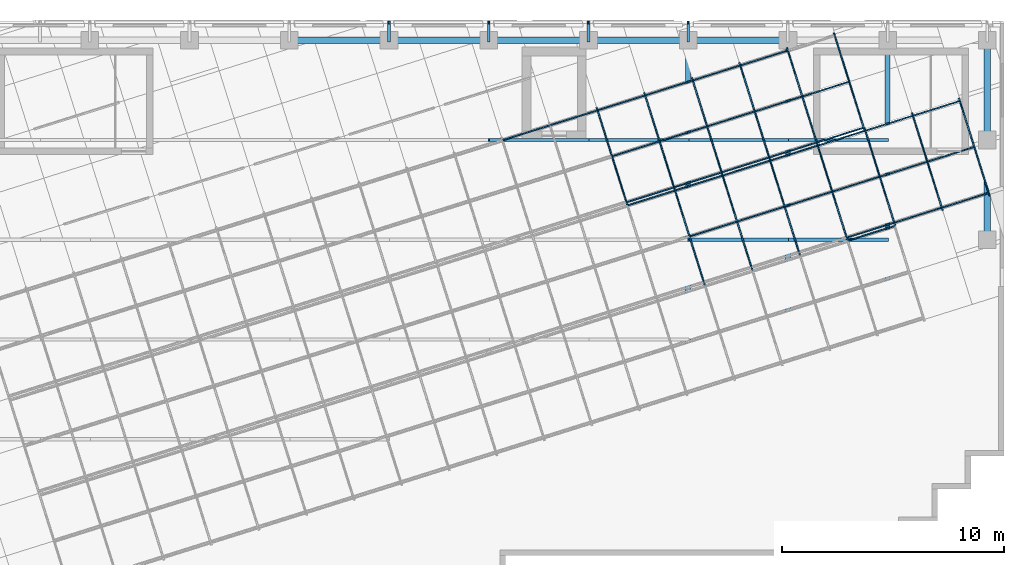
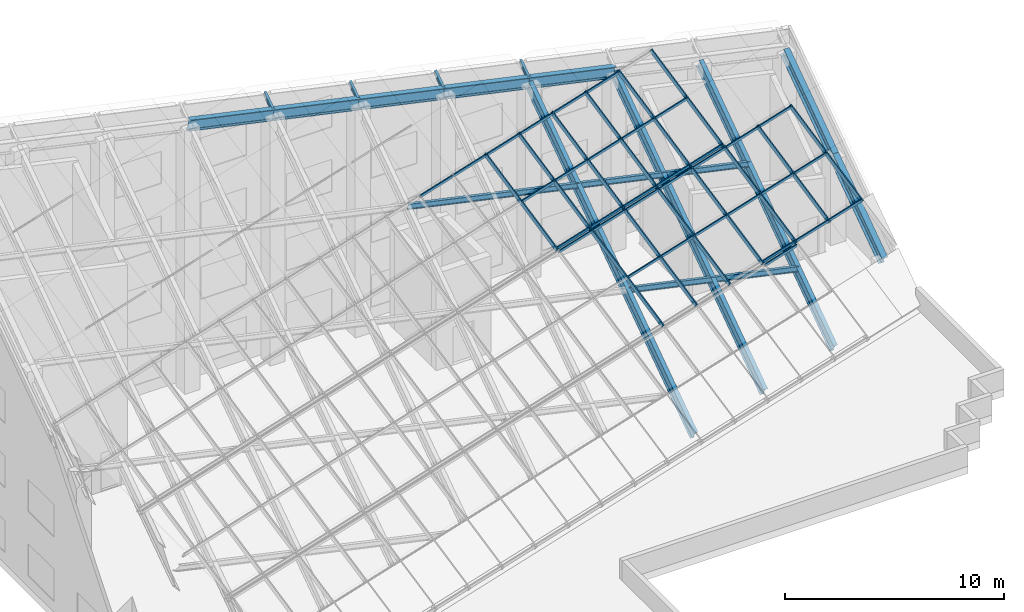
# One storey, part 5 of 14: 66 members, 3 elements without a shape of their own.
"""IFC4 building model written with IfcOpenShell, lengths in metres."""

import ifcopenshell
import ifcopenshell.guid

model = None  # the IFC model being written
_history = None  # IfcOwnerHistory: only IFC2X3 demands one
_inside = {}  # id of a spatial element -> (the spatial element, [elements in it])
_under = {}  # id of a project, library or spatial element -> (it, [spatial elements below it])
_declared = {}  # id of a project -> (the project, [libraries it declares])
_typed = {}  # id of a type object -> (the type object, [elements of that type])
_made_of = {}  # id of a material, layer set ... -> (it, [elements and type objects made of it])


def new_model(schema):
    """Start an empty IFC model of exactly this schema.

    Asked for "IFC4X3", IfcOpenShell would pick the latest addendum, in which some entities
    have other attributes; the version numbers below select the first issue.
    IFC2X3 requires an IfcOwnerHistory on every rooted entity: one is made here for all.
    """
    global model, _history
    if schema == "IFC4X3":
        model = ifcopenshell.file(schema_version=(4, 3, 0, 0))
    else:
        model = ifcopenshell.file(schema=schema)
    _inside.clear()
    _under.clear()
    _declared.clear()
    _typed.clear()
    _made_of.clear()
    _history = None
    if model.schema == "IFC2X3":
        org = make("IfcOrganization", Name="unknown")
        user = make(
            "IfcPersonAndOrganization",
            ThePerson=make("IfcPerson", FamilyName="unknown"),
            TheOrganization=org,
        )
        app = make(
            "IfcApplication",
            ApplicationDeveloper=org,
            Version="unknown",
            ApplicationFullName="unknown",
            ApplicationIdentifier="unknown",
        )
        _history = make(
            "IfcOwnerHistory",
            OwningUser=user,
            OwningApplication=app,
            ChangeAction="ADDED",
            CreationDate=0,
        )
    return model


def make(cls, **values):
    """One entity of the class cls with the attributes given. An attribute that is None is left unset."""
    return model.create_entity(
        cls, **{name: value for name, value in values.items() if value is not None}
    )


def rooted(cls, **values):
    """An entity with a GlobalId (a new one), such as an element, a storey or a relation."""
    return make(cls, GlobalId=ifcopenshell.guid.new(), OwnerHistory=_history, **values)


def si_unit(unit_type, name, prefix=None):
    """IfcSIUnit, for example si_unit("LENGTHUNIT", "METRE", prefix="MILLI")."""
    return make("IfcSIUnit", UnitType=unit_type, Prefix=prefix, Name=name)


def assignment(units):
    """IfcUnitAssignment: the units of a project."""
    return None if units is None else make("IfcUnitAssignment", Units=units)


def point(xyz):
    """IfcCartesianPoint."""
    return None if xyz is None else make("IfcCartesianPoint", Coordinates=xyz)


def direction(xyz):
    """IfcDirection."""
    return None if xyz is None else make("IfcDirection", DirectionRatios=xyz)


def frame(location, z_axis=None, x_axis=None):
    """IfcAxis2Placement3D, a coordinate frame: its origin and axes. An axis left out is left unset."""
    return make(
        "IfcAxis2Placement3D",
        Location=point(location),
        Axis=direction(z_axis),
        RefDirection=direction(x_axis),
    )


def frame_2d(location, x_axis=None):
    """IfcAxis2Placement2D, a coordinate frame in the plane: its origin and x axis."""
    return make(
        "IfcAxis2Placement2D", Location=point(location), RefDirection=direction(x_axis)
    )


def origin():
    """The frame at (0, 0, 0) with its axes left unset."""
    return frame((0.0, 0.0, 0.0))


def origin_2d():
    """The frame at (0, 0) in the plane with its x axis left unset."""
    return frame_2d((0.0, 0.0))


def place(relative_to, where):
    """IfcLocalPlacement: puts the frame where relative to a parent placement (None: the world)."""
    return make(
        "IfcLocalPlacement", PlacementRelTo=relative_to, RelativePlacement=where
    )


def context(
    kind, dimensions, precision=None, world=None, true_north=None, identifier=None
):
    """IfcGeometricRepresentationContext, for example the 3D "Model" context."""
    return make(
        "IfcGeometricRepresentationContext",
        ContextIdentifier=identifier,
        ContextType=kind,
        CoordinateSpaceDimension=dimensions,
        Precision=precision,
        WorldCoordinateSystem=world,
        TrueNorth=true_north,
    )


def subcontext(parent, identifier, kind, view, scale=None):
    """IfcGeometricRepresentationSubContext, for example "Body" below "Model"."""
    return make(
        "IfcGeometricRepresentationSubContext",
        ContextIdentifier=identifier,
        ContextType=kind,
        ParentContext=parent,
        TargetScale=scale,
        TargetView=view,
    )


def project(units=None, contexts=None):
    """IfcProject with its units and contexts."""
    return rooted(
        "IfcProject",
        Name="project",
        RepresentationContexts=contexts,
        UnitsInContext=assignment(units),
    )


def spatial(cls, under=None, at=None, **own):
    """A site, building, storey or space (cls), placed at a placement, below another one or the project."""
    s = rooted(cls, ObjectPlacement=at, **own)
    if under is not None:
        _under.setdefault(under.id(), (under, []))[1].append(s)
    return s


def profile(cls, at=None, kind="AREA", **sizes):
    """A parametric profile (cls). Its sizes go by their IFC names, for example OverallWidth=200.0."""
    return make(cls, ProfileType=kind, Position=at, **sizes)


def rectangle(**sizes):
    """IfcRectangleProfileDef."""
    return profile("IfcRectangleProfileDef", **sizes)


def i_section(**sizes):
    """IfcIShapeProfileDef."""
    return profile("IfcIShapeProfileDef", **sizes)


def extrude(swept, where, along, depth):
    """IfcExtrudedAreaSolid: the profile swept, set in the frame where, extruded along a direction by depth."""
    return make(
        "IfcExtrudedAreaSolid",
        SweptArea=swept,
        Position=where,
        ExtrudedDirection=direction(along),
        Depth=depth,
    )


def shape(context_of_items, identifier, shape_type, items):
    """IfcShapeRepresentation: the items that make up one representation, for example the "Body"."""
    return make(
        "IfcShapeRepresentation",
        ContextOfItems=context_of_items,
        RepresentationIdentifier=identifier,
        RepresentationType=shape_type,
        Items=items,
    )


def material(Name=None, Category=None):
    """IfcMaterial."""
    return make("IfcMaterial", Name=Name, Category=Category)


def material_profile(
    of_material, cross_section, Name=None, Category=None, Priority=None
):
    """IfcMaterialProfile: a cross section and its material."""
    return make(
        "IfcMaterialProfile",
        Name=Name,
        Material=of_material,
        Profile=cross_section,
        Priority=Priority,
        Category=Category,
    )


def profile_set(profiles, Name=None, composite=None):
    """IfcMaterialProfileSet."""
    return make(
        "IfcMaterialProfileSet",
        Name=Name,
        MaterialProfiles=profiles,
        CompositeProfile=composite,
    )


def made_of(thing, what):
    """Note that an element or type object is made of a material, layer set ...; save() writes the relation."""
    if what is not None:
        _made_of.setdefault(what.id(), (what, []))[1].append(thing)
    return thing


def type_object(cls, material=None, **own):
    """A type object (cls), such as IfcWallType, which elements share."""
    return made_of(rooted(cls, **own), material)


def element(
    cls,
    number,
    at=None,
    inside=None,
    cuts=None,
    type_object=None,
    material=None,
    context=None,
    identifier="Body",
    shape_type=None,
    held_by="IfcProductDefinitionShape",
    body=None,
    shapes=None,
    **own,
):
    """One element of the class cls, such as IfcWall. Its Tag is "e" and its number.

    at: its placement. inside: the storey or other place that contains it. cuts: it is an
    opening in that element (IfcRelVoidsElement). A single representation is given by context,
    identifier, shape_type and body (its items); several are given by shapes. held_by: the class
    of the entity that holds the representations. save() writes the other relations.
    """
    e = rooted(cls, Tag="e%d" % number, ObjectPlacement=at, **own)
    if body is not None:
        shapes = [shape(context, identifier, shape_type, body)]
    if shapes is not None:
        e.Representation = make(held_by, Representations=shapes)
    if inside is not None:
        _inside.setdefault(inside.id(), (inside, []))[1].append(e)
    if cuts is not None:
        rooted(
            "IfcRelVoidsElement", RelatingBuildingElement=cuts, RelatedOpeningElement=e
        )
    if type_object is not None:
        _typed.setdefault(type_object.id(), (type_object, []))[1].append(e)
    return made_of(e, material)


def aggregate(whole, parts):
    """IfcRelAggregates: a whole, such as a stair, and the parts it consists of."""
    return rooted("IfcRelAggregates", RelatingObject=whole, RelatedObjects=parts)


def save(model, path):
    """Write the relations noted so far, then the file.

    IfcRelAggregates (storeys below a building ...), IfcRelContainedInSpatialStructure (elements
    in a storey), IfcRelDefinesByType, IfcRelAssociatesMaterial and IfcRelDeclares: one each for
    every whole, place, type object, material and project.
    """
    for whole, parts in _under.values():
        aggregate(whole, parts)
    for where, things in _inside.values():
        rooted(
            "IfcRelContainedInSpatialStructure",
            RelatedElements=things,
            RelatingStructure=where,
        )
    for kind, things in _typed.values():
        rooted("IfcRelDefinesByType", RelatedObjects=things, RelatingType=kind)
    for what, things in _made_of.values():
        rooted("IfcRelAssociatesMaterial", RelatedObjects=things, RelatingMaterial=what)
    for by, libraries in _declared.values():
        rooted("IfcRelDeclares", RelatingContext=by, RelatedDefinitions=libraries)
    model.write(path)


model = new_model("IFC4")

# Units and contexts
model_context = context("Model", 3, precision=1e-05, world=origin(), true_north=direction((0.0, 1.0)))
body_context = subcontext(model_context, "Body", "Model", "MODEL_VIEW")
ifc_project = project(units=[si_unit("LENGTHUNIT", "METRE"), si_unit("AREAUNIT", "SQUARE_METRE"), si_unit("VOLUMEUNIT", "CUBIC_METRE"), si_unit("PLANEANGLEUNIT", "RADIAN"), si_unit("MASSUNIT", "GRAM", prefix="KILO")], contexts=[model_context])

# Site, building, storey
site_placement = place(None, origin())
site = spatial("IfcSite", under=ifc_project, at=site_placement, CompositionType="ELEMENT")
building_placement = place(site_placement, origin())
building = spatial("IfcBuilding", under=site, at=building_placement, Name="Firuza Court", CompositionType="ELEMENT")
storey_placement = place(building_placement, frame((0.0, 0.0, 266.199951171875)))
storey = spatial("IfcBuildingStorey", under=building, at=storey_placement, Name="L68 Crown", CompositionType="ELEMENT", Elevation=266.199951171875)

# Members
ifc_material_1 = material(Name="Steel S355", Category="steel")
ifc_material_profile_1 = material_profile(ifc_material_1, i_section(OverallWidth=0.1201171875, OverallDepth=0.239990234375, WebThickness=0.006103515625, FlangeThickness=0.009765625, FilletRadius=0.014892578125, at=origin_2d()), Name="IPE 240")
ifc_profile_set_1 = profile_set([ifc_material_profile_1], Name="Steel S355")
member_type_1 = type_object("IfcMemberType", Name="Crown eave bracket IPE 240 S355", PredefinedType="MEMBER", material=ifc_profile_set_1)
for number, where, z_axis, x_axis, name in (
    (1, (18.0, 58.5, 13.876953125), (0.0, 0.82192121819, 0.569601185996), (-1.0, 0.0, 0.0), "Crown frame eave bracket"),
    (2, (22.5, 58.5, 12.89599609375), (0.0, 0.82192121819, 0.569601185996), (-1.0, 0.0, 0.0), "Crown frame eave bracket"),
    (3, (27.0, 58.5, 11.915283203125), (0.0, 0.82192121819, 0.569601185996), (-1.0, 0.0, 0.0), "Crown frame eave bracket"),
    (4, (31.5, 58.5, 10.9345703125), (0.0, 0.82192121819, 0.569601185996), (-1.0, 0.0, 0.0), "Crown frame eave bracket"),
):
    element("IfcMember", number, at=place(storey_placement, frame(where, z_axis=z_axis, x_axis=x_axis)), inside=storey, type_object=member_type_1, Name=name, PredefinedType="MEMBER", context=body_context, shape_type="SweptSolid", body=[
        extrude(i_section(OverallWidth=0.1201171875, OverallDepth=0.239990234375, WebThickness=0.006103515625, FlangeThickness=0.009765625, FilletRadius=0.014892578125, at=origin_2d()), origin(), (0.0, 0.0, 1.0), 0.973388671875),
    ])
ifc_material_2 = material(Name="Steel S355", Category="steel")
ifc_material_profile_2 = material_profile(ifc_material_2, i_section(OverallWidth=0.14990234375, OverallDepth=0.300048828125, WebThickness=0.007080078125, FlangeThickness=0.0107421875, FilletRadius=0.014892578125, at=origin_2d()), Name="IPE 300")
ifc_profile_set_2 = profile_set([ifc_material_profile_2], Name="Steel S355")
member_type_2 = type_object("IfcMemberType", Name="Crown purlin IPE 300 S355", PredefinedType="PURLIN", material=ifc_profile_set_2)
for number, where, z_axis, x_axis, name in (
    (5, (31.5, 49.5, 4.6171875), (0.977065716097, 0.0, -0.212937987281), (0.0, 1.0, 0.0), "Crown frame purlin"),
    (6, (36.0, 49.5, 3.636474609375), (0.977065716097, 0.0, -0.212937987281), (0.0, 1.0, 0.0), "Crown frame purlin"),
    (7, (22.5, 54.0, 9.69775390625), (0.977065716097, 0.0, -0.212937987281), (0.0, 1.0, 0.0), "Crown frame purlin"),
    (8, (27.0, 54.0, 8.717041015625), (0.977054686112, 0.0, -0.212988592057), (0.0, 1.0, 0.0), "Crown frame purlin"),
    (9, (31.5, 54.0, 7.736083984375), (0.977065716097, 0.0, -0.212937987281), (0.0, 1.0, 0.0), "Crown frame purlin"),
    (10, (36.0, 54.0, 6.75537109375), (0.977065716097, 0.0, -0.212937987281), (0.0, 1.0, 0.0), "Crown frame purlin"),
):
    element("IfcMember", number, at=place(storey_placement, frame(where, z_axis=z_axis, x_axis=x_axis)), inside=storey, type_object=member_type_2, Name=name, PredefinedType="PURLIN", context=body_context, shape_type="SweptSolid", body=[
        extrude(i_section(OverallWidth=0.14990234375, OverallDepth=0.300048828125, WebThickness=0.007080078125, FlangeThickness=0.0107421875, FilletRadius=0.014892578125, at=origin_2d()), origin(), (0.0, 0.0, 1.0), 4.605712890625),
    ])
ifc_material_3 = material(Name="Steel S355", Category="steel")
ifc_material_profile_3 = material_profile(ifc_material_3, i_section(OverallWidth=0.219970703125, OverallDepth=0.60009765625, WebThickness=0.011962890625, FlangeThickness=0.01904296875, FilletRadius=0.02392578125, at=origin_2d()), Name="IPE 600")
ifc_profile_set_3 = profile_set([ifc_material_profile_3], Name="Steel S355")
member_type_3 = type_object("IfcMemberType", Name="Crown rafter IPE 600 S355", PredefinedType="RAFTER", material=ifc_profile_set_3)
member_1_placement = place(storey_placement, frame((31.5, 43.39501953125, 0.20263671875), z_axis=(0.0, 0.821894140728, 0.569640256159), x_axis=(-1.0, 0.0, 0.0)))
element("IfcMember", 11, at=member_1_placement, inside=storey, type_object=member_type_3, Name="Crown frame rafter", PredefinedType="RAFTER", context=body_context, shape_type="SweptSolid", body=[
    extrude(i_section(OverallWidth=0.219970703125, OverallDepth=0.60009765625, WebThickness=0.011962890625, FlangeThickness=0.01904296875, FilletRadius=0.02392578125, at=origin_2d()), origin(), (0.0, 0.0, 1.0), 18.378173828125),
])
member_2_placement = place(storey_placement, frame((36.0, 44.810302734375, 0.20263671875), z_axis=(0.0, 0.821895527525, 0.569638255242), x_axis=(-1.0, 0.0, 0.0)))
element("IfcMember", 12, at=member_2_placement, inside=storey, type_object=member_type_3, Name="Crown frame rafter", PredefinedType="RAFTER", context=body_context, shape_type="SweptSolid", body=[
    extrude(i_section(OverallWidth=0.219970703125, OverallDepth=0.60009765625, WebThickness=0.011962890625, FlangeThickness=0.01904296875, FilletRadius=0.02392578125, at=origin_2d()), origin(), (0.0, 0.0, 1.0), 16.65625),
])
member_3_placement = place(storey_placement, frame((40.5, 46.225341796875, 0.20263671875), z_axis=(0.0, 0.821894885054, 0.569639182222), x_axis=(-1.0, 0.0, 0.0)))
element("IfcMember", 13, at=member_3_placement, inside=storey, type_object=member_type_3, Name="Crown frame rafter", PredefinedType="RAFTER", context=body_context, shape_type="SweptSolid", body=[
    extrude(i_section(OverallWidth=0.219970703125, OverallDepth=0.60009765625, WebThickness=0.011962890625, FlangeThickness=0.01904296875, FilletRadius=0.02392578125, at=origin_2d()), origin(), (0.0, 0.0, 1.0), 14.9345703125),
])
ifc_material_4 = material(Name="Steel S355", Category="steel")
ifc_material_profile_4 = material_profile(ifc_material_4, i_section(OverallWidth=0.300048828125, OverallDepth=0.60009765625, WebThickness=0.015380859375, FlangeThickness=0.030029296875, FilletRadius=0.027099609375, at=origin_2d()), Name="HE 600 B")
ifc_profile_set_4 = profile_set([ifc_material_profile_4], Name="Steel S355")
member_type_4 = type_object("IfcMemberType", Name="Crown ring beam HE 600 B S355", PredefinedType="MEMBER", material=ifc_profile_set_4)
for number, where, z_axis, x_axis, name in (
    (14, (45.0, 49.5, 1.535400390625), (0.0, 0.821891894139, 0.569643497592), (-1.0, 0.0, 0.0), "Crown frame ring beam"),
    (15, (45.0, 54.0, 4.654296875), (0.0, 0.821891894139, 0.569643497592), (-1.0, 0.0, 0.0), "Crown frame ring beam"),
):
    element("IfcMember", number, at=place(storey_placement, frame(where, z_axis=z_axis, x_axis=x_axis)), inside=storey, type_object=member_type_4, Name=name, PredefinedType="MEMBER", context=body_context, shape_type="SweptSolid", body=[
        extrude(i_section(OverallWidth=0.300048828125, OverallDepth=0.60009765625, WebThickness=0.015380859375, FlangeThickness=0.030029296875, FilletRadius=0.027099609375, at=origin_2d()), origin(), (0.0, 0.0, 1.0), 5.47509765625),
    ])
for number, where, z_axis, x_axis, name in (
    (16, (36.0, 58.5, 9.792724609375), (-0.977065716097, 0.0, 0.212937987281), (0.0, -1.0, 0.0), "Crown frame ring beam"),
    (17, (31.5, 58.5, 10.7734375), (-0.977065716097, 0.0, 0.212937987281), (0.0, -1.0, 0.0), "Crown frame ring beam"),
    (18, (27.0, 58.5, 11.754150390625), (-0.977054686112, 0.0, 0.212988592057), (0.0, -1.0, 0.0), "Crown frame ring beam"),
    (19, (22.5, 58.5, 12.735107421875), (-0.977065716097, 0.0, 0.212937987281), (0.0, -1.0, 0.0), "Crown frame ring beam"),
    (20, (18.0, 58.5, 13.7158203125), (-0.977065716097, 0.0, 0.212937987281), (0.0, -1.0, 0.0), "Crown frame ring beam"),
):
    element("IfcMember", number, at=place(storey_placement, frame(where, z_axis=z_axis, x_axis=x_axis)), inside=storey, type_object=member_type_4, Name=name, PredefinedType="MEMBER", context=body_context, shape_type="SweptSolid", body=[
        extrude(i_section(OverallWidth=0.300048828125, OverallDepth=0.60009765625, WebThickness=0.015380859375, FlangeThickness=0.030029296875, FilletRadius=0.027099609375, at=origin_2d()), origin(), (0.0, 0.0, 1.0), 4.605712890625),
    ])

# Curtain wall, members
ifc_material_5 = material(Name="Aluminium curtain wall, triple clear glazing", Category="aluminium")
curtain_wall_type = type_object("IfcCurtainWallType", Name="Crown sloped structural glazing CW5", PredefinedType="NOTDEFINED", material=ifc_material_5)
curtain_wall_1_placement = place(storey_placement, origin())
curtain_wall_1 = element("IfcCurtainWall", 21, at=curtain_wall_1_placement, inside=storey, type_object=curtain_wall_type, Name="Crown sloped structural glazing CW5 2.1", PredefinedType="NOTDEFINED")
ifc_material_6 = material(Name="Aluminium EN AW-6060 T66", Category="aluminium")
ifc_material_profile_5 = material_profile(ifc_material_6, rectangle(XDim=0.06005859375, YDim=0.219970703125, at=origin_2d()), Name="Mullion 220 x 60 CW5")
ifc_profile_set_5 = profile_set([ifc_material_profile_5], Name="Aluminium EN AW-6060 T66")
member_type_5 = type_object("IfcMemberType", Name="Mullion 220 x 60 CW5", PredefinedType="MULLION", material=ifc_profile_set_5)
member_4_placement = place(storey_placement, frame((45.083984375, 51.543701171875, 3.533447265625), z_axis=(-0.242669849677, 0.771768246829, 0.587779820378), x_axis=(-0.95395336245, -0.299954967071, 0.0)))
member_4 = element("IfcMember", 22, at=member_4_placement, type_object=member_type_5, Name="CW5 mullion 1", PredefinedType="MULLION", context=body_context, shape_type="SweptSolid", body=[
    extrude(rectangle(XDim=0.06005859375, YDim=0.219970703125, at=origin_2d()), origin(), (0.0, 0.0, 1.0), 5.5625),
])
member_5_placement = place(storey_placement, frame((42.96630859375, 50.8779296875, 3.533447265625), z_axis=(-0.242678069863, 0.771750497813, 0.587799730803), x_axis=(-0.953948480927, -0.299970491443, 0.0)))
member_5 = element("IfcMember", 23, at=member_5_placement, type_object=member_type_5, Name="CW5 mullion 2", PredefinedType="MULLION", context=body_context, shape_type="SweptSolid", body=[
    extrude(rectangle(XDim=0.06005859375, YDim=0.219970703125, at=origin_2d()), origin(), (0.0, 0.0, 1.0), 5.562255859375),
])
member_6_placement = place(storey_placement, frame((40.820068359375, 50.202880859375, 3.533447265625), z_axis=(-0.242678069863, 0.771750497813, 0.587799730803), x_axis=(-0.953948480927, -0.299970491443, 0.0)))
member_6 = element("IfcMember", 24, at=member_6_placement, type_object=member_type_5, Name="CW5 mullion 3", PredefinedType="MULLION", context=body_context, shape_type="SweptSolid", body=[
    extrude(rectangle(XDim=0.06005859375, YDim=0.219970703125, at=origin_2d()), origin(), (0.0, 0.0, 1.0), 5.562255859375),
])
member_7_placement = place(storey_placement, frame((38.673583984375, 49.52783203125, 3.533447265625), z_axis=(-0.242669849677, 0.771768246829, 0.587779820378), x_axis=(-0.95395336245, -0.299954967071, 0.0)))
member_7 = element("IfcMember", 25, at=member_7_placement, type_object=member_type_5, Name="CW5 mullion 4", PredefinedType="MULLION", context=body_context, shape_type="SweptSolid", body=[
    extrude(rectangle(XDim=0.06005859375, YDim=0.219970703125, at=origin_2d()), origin(), (0.0, 0.0, 1.0), 5.5625),
])
member_8_placement = place(storey_placement, frame((36.527099609375, 48.85302734375, 3.533447265625), z_axis=(-0.242678069863, 0.771750497813, 0.587799730803), x_axis=(-0.953948480927, -0.299970491443, 0.0)))
member_8 = element("IfcMember", 26, at=member_8_placement, type_object=member_type_5, Name="CW5 mullion 5", PredefinedType="MULLION", context=body_context, shape_type="SweptSolid", body=[
    extrude(rectangle(XDim=0.06005859375, YDim=0.219970703125, at=origin_2d()), origin(), (0.0, 0.0, 1.0), 5.562255859375),
])
member_9_placement = place(storey_placement, frame((34.380859375, 48.177978515625, 3.533447265625), z_axis=(-0.242678069863, 0.771750497813, 0.587799730803), x_axis=(-0.953948480927, -0.299970491443, 0.0)))
member_9 = element("IfcMember", 27, at=member_9_placement, type_object=member_type_5, Name="CW5 mullion 6", PredefinedType="MULLION", context=body_context, shape_type="SweptSolid", body=[
    extrude(rectangle(XDim=0.06005859375, YDim=0.219970703125, at=origin_2d()), origin(), (0.0, 0.0, 1.0), 5.562255859375),
])
member_10_placement = place(storey_placement, frame((32.234619140625, 47.503173828125, 3.533447265625), z_axis=(-0.242719376152, 0.771742276831, 0.587793469335), x_axis=(-0.953932954767, -0.300019862359, 0.0)))
member_10 = element("IfcMember", 28, at=member_10_placement, type_object=member_type_5, Name="CW5 mullion 7", PredefinedType="MULLION", context=body_context, shape_type="SweptSolid", body=[
    extrude(rectangle(XDim=0.06005859375, YDim=0.219970703125, at=origin_2d()), origin(), (0.0, 0.0, 1.0), 5.5625),
])

curtain_wall_2_placement = place(storey_placement, origin())
curtain_wall_2 = element("IfcCurtainWall", 29, at=curtain_wall_2_placement, inside=storey, type_object=curtain_wall_type, Name="Crown sloped structural glazing CW5 3.1", PredefinedType="NOTDEFINED")
member_11_placement = place(storey_placement, frame((39.44140625, 54.48681640625, 6.802978515625), z_axis=(-0.242686290418, 0.771732746994, 0.587819642119), x_axis=(-0.953943598647, -0.299986017343, 0.0)))
member_11 = element("IfcMember", 30, at=member_11_placement, type_object=member_type_5, Name="CW5 mullion 1", PredefinedType="MULLION", context=body_context, shape_type="SweptSolid", body=[
    extrude(rectangle(XDim=0.06005859375, YDim=0.219970703125, at=origin_2d()), origin(), (0.0, 0.0, 1.0), 5.56201171875),
])
member_12_placement = place(storey_placement, frame((37.32373046875, 53.82080078125, 6.802978515625), z_axis=(-0.242686290418, 0.771732746994, 0.587819642119), x_axis=(-0.953943598647, -0.299986017343, 0.0)))
member_12 = element("IfcMember", 31, at=member_12_placement, type_object=member_type_5, Name="CW5 mullion 2", PredefinedType="MULLION", context=body_context, shape_type="SweptSolid", body=[
    extrude(rectangle(XDim=0.06005859375, YDim=0.219970703125, at=origin_2d()), origin(), (0.0, 0.0, 1.0), 5.56201171875),
])
member_13_placement = place(storey_placement, frame((35.17724609375, 53.145751953125, 6.802978515625), z_axis=(-0.242678069863, 0.771750497813, 0.587799730803), x_axis=(-0.953948480927, -0.299970491443, 0.0)))
member_13 = element("IfcMember", 32, at=member_13_placement, type_object=member_type_5, Name="CW5 mullion 3", PredefinedType="MULLION", context=body_context, shape_type="SweptSolid", body=[
    extrude(rectangle(XDim=0.06005859375, YDim=0.219970703125, at=origin_2d()), origin(), (0.0, 0.0, 1.0), 5.562255859375),
])
member_14_placement = place(storey_placement, frame((33.031005859375, 52.470703125, 6.802978515625), z_axis=(-0.242719376152, 0.771742276831, 0.587793469335), x_axis=(-0.953932954767, -0.300019862359, 0.0)))
member_14 = element("IfcMember", 33, at=member_14_placement, type_object=member_type_5, Name="CW5 mullion 4", PredefinedType="MULLION", context=body_context, shape_type="SweptSolid", body=[
    extrude(rectangle(XDim=0.06005859375, YDim=0.219970703125, at=origin_2d()), origin(), (0.0, 0.0, 1.0), 5.5625),
])
member_15_placement = place(storey_placement, frame((30.884521484375, 51.7958984375, 6.802978515625), z_axis=(-0.242678069863, 0.771750497813, 0.587799730803), x_axis=(-0.953948480927, -0.299970491443, 0.0)))
member_15 = element("IfcMember", 34, at=member_15_placement, type_object=member_type_5, Name="CW5 mullion 5", PredefinedType="MULLION", context=body_context, shape_type="SweptSolid", body=[
    extrude(rectangle(XDim=0.06005859375, YDim=0.219970703125, at=origin_2d()), origin(), (0.0, 0.0, 1.0), 5.562255859375),
])
member_16_placement = place(storey_placement, frame((28.73828125, 51.120849609375, 6.802978515625), z_axis=(-0.242719376152, 0.771742276831, 0.587793469335), x_axis=(-0.953932954767, -0.300019862359, 0.0)))
member_16 = element("IfcMember", 35, at=member_16_placement, type_object=member_type_5, Name="CW5 mullion 6", PredefinedType="MULLION", context=body_context, shape_type="SweptSolid", body=[
    extrude(rectangle(XDim=0.06005859375, YDim=0.219970703125, at=origin_2d()), origin(), (0.0, 0.0, 1.0), 5.5625),
])

# Curtain wall, member
curtain_wall_3_placement = place(storey_placement, origin())
curtain_wall_3 = element("IfcCurtainWall", 36, at=curtain_wall_3_placement, inside=storey, type_object=curtain_wall_type, Name="Crown sloped structural glazing CW5 1.1", PredefinedType="NOTDEFINED")
ifc_material_7 = material(Name="Aluminium EN AW-6060 T66", Category="aluminium")
ifc_material_profile_6 = material_profile(ifc_material_7, rectangle(XDim=0.06005859375, YDim=0.14990234375, at=origin_2d()), Name="Transom 150 x 60 CW5")
ifc_profile_set_6 = profile_set([ifc_material_profile_6], Name="Aluminium EN AW-6060 T66")
member_type_6 = type_object("IfcMemberType", Name="Transom 150 x 60 CW5", PredefinedType="USERDEFINED", material=ifc_profile_set_6)
member_17_placement = place(storey_placement, frame((40.78515625, 50.11328125, 3.47900390625), z_axis=(-0.953947520719, -0.299973545022, 0.0), x_axis=(0.299973545022, -0.953947520719, 0.0)))
member_17 = element("IfcMember", 37, at=member_17_placement, type_object=member_type_6, Name="CW5 transom 3.1", ObjectType="TRANSOM", PredefinedType="USERDEFINED", context=body_context, shape_type="SweptSolid", body=[
    extrude(rectangle(XDim=0.06005859375, YDim=0.14990234375, at=origin_2d()), origin(), (0.0, 0.0, 1.0), 2.159912109375),
])
aggregate(curtain_wall_3, [member_17])

# Member
member_18_placement = place(storey_placement, frame((45.032958984375, 51.6064453125, 3.588134765625), z_axis=(-0.953947520719, -0.299973545022, 0.0), x_axis=(0.299973545022, -0.953947520719, 0.0)))
member_18 = element("IfcMember", 38, at=member_18_placement, type_object=member_type_6, Name="CW5 transom 1.1", ObjectType="TRANSOM", PredefinedType="USERDEFINED", context=body_context, shape_type="SweptSolid", body=[
    extrude(rectangle(XDim=0.06005859375, YDim=0.14990234375, at=origin_2d()), origin(), (0.0, 0.0, 1.0), 2.159912109375),
])

member_19_placement = place(storey_placement, frame((42.915283203125, 50.9404296875, 3.588134765625), z_axis=(-0.953940860537, -0.299994724285, 0.0), x_axis=(0.299994724285, -0.953940860537, 0.0)))
member_19 = element("IfcMember", 39, at=member_19_placement, type_object=member_type_6, Name="CW5 transom 1.2", ObjectType="TRANSOM", PredefinedType="USERDEFINED", context=body_context, shape_type="SweptSolid", body=[
    extrude(rectangle(XDim=0.06005859375, YDim=0.14990234375, at=origin_2d()), origin(), (0.0, 0.0, 1.0), 2.18994140625),
])

member_20_placement = place(storey_placement, frame((40.768798828125, 50.265380859375, 3.588134765625), z_axis=(-0.953940860537, -0.299994724285, 0.0), x_axis=(0.299994724285, -0.953940860537, 0.0)))
member_20 = element("IfcMember", 40, at=member_20_placement, type_object=member_type_6, Name="CW5 transom 1.3", ObjectType="TRANSOM", PredefinedType="USERDEFINED", context=body_context, shape_type="SweptSolid", body=[
    extrude(rectangle(XDim=0.06005859375, YDim=0.14990234375, at=origin_2d()), origin(), (0.0, 0.0, 1.0), 2.18994140625),
])

member_21_placement = place(storey_placement, frame((44.380615234375, 53.68115234375, 5.168212890625), z_axis=(-0.953947520719, -0.299973545022, 0.0), x_axis=(0.299973545022, -0.953947520719, 0.0)))
member_21 = element("IfcMember", 41, at=member_21_placement, type_object=member_type_6, Name="CW5 transom 2.1", ObjectType="TRANSOM", PredefinedType="USERDEFINED", context=body_context, shape_type="SweptSolid", body=[
    extrude(rectangle(XDim=0.06005859375, YDim=0.14990234375, at=origin_2d()), origin(), (0.0, 0.0, 1.0), 2.159912109375),
])

member_22_placement = place(storey_placement, frame((42.2626953125, 53.01513671875, 5.168212890625), z_axis=(-0.953972759463, -0.299893271352, 0.0), x_axis=(0.299893271352, -0.953972759463, 0.0)))
member_22 = element("IfcMember", 42, at=member_22_placement, type_object=member_type_6, Name="CW5 transom 2.2", ObjectType="TRANSOM", PredefinedType="USERDEFINED", context=body_context, shape_type="SweptSolid", body=[
    extrude(rectangle(XDim=0.06005859375, YDim=0.14990234375, at=origin_2d()), origin(), (0.0, 0.0, 1.0), 2.18994140625),
])

member_23_placement = place(storey_placement, frame((40.116455078125, 52.34033203125, 5.168212890625), z_axis=(-0.953940860537, -0.299994724285, 0.0), x_axis=(0.299994724285, -0.953940860537, 0.0)))
member_23 = element("IfcMember", 43, at=member_23_placement, type_object=member_type_6, Name="CW5 transom 2.3", ObjectType="TRANSOM", PredefinedType="USERDEFINED", context=body_context, shape_type="SweptSolid", body=[
    extrude(rectangle(XDim=0.06005859375, YDim=0.14990234375, at=origin_2d()), origin(), (0.0, 0.0, 1.0), 2.18994140625),
])

member_24_placement = place(storey_placement, frame((37.969970703125, 51.665283203125, 5.168212890625), z_axis=(-0.953940860537, -0.299994724285, 0.0), x_axis=(0.299994724285, -0.953940860537, 0.0)))
member_24 = element("IfcMember", 44, at=member_24_placement, type_object=member_type_6, Name="CW5 transom 2.4", ObjectType="TRANSOM", PredefinedType="USERDEFINED", context=body_context, shape_type="SweptSolid", body=[
    extrude(rectangle(XDim=0.06005859375, YDim=0.14990234375, at=origin_2d()), origin(), (0.0, 0.0, 1.0), 2.18994140625),
])

member_25_placement = place(storey_placement, frame((35.82373046875, 50.990478515625, 5.168212890625), z_axis=(-0.953940860537, -0.299994724285, 0.0), x_axis=(0.299994724285, -0.953940860537, 0.0)))
member_25 = element("IfcMember", 45, at=member_25_placement, type_object=member_type_6, Name="CW5 transom 2.5", ObjectType="TRANSOM", PredefinedType="USERDEFINED", context=body_context, shape_type="SweptSolid", body=[
    extrude(rectangle(XDim=0.06005859375, YDim=0.14990234375, at=origin_2d()), origin(), (0.0, 0.0, 1.0), 2.18994140625),
])

member_26_placement = place(storey_placement, frame((33.67724609375, 50.3154296875, 5.168212890625), z_axis=(-0.953940860537, -0.299994724285, 0.0), x_axis=(0.299994724285, -0.953940860537, 0.0)))
member_26 = element("IfcMember", 46, at=member_26_placement, type_object=member_type_6, Name="CW5 transom 2.6", ObjectType="TRANSOM", PredefinedType="USERDEFINED", context=body_context, shape_type="SweptSolid", body=[
    extrude(rectangle(XDim=0.06005859375, YDim=0.14990234375, at=origin_2d()), origin(), (0.0, 0.0, 1.0), 2.18994140625),
])

member_27_placement = place(storey_placement, frame((43.72802734375, 55.756103515625, 6.74853515625), z_axis=(-0.953947520719, -0.299973545022, 0.0), x_axis=(0.299973545022, -0.953947520719, 0.0)))
member_27 = element("IfcMember", 47, at=member_27_placement, type_object=member_type_6, Name="CW5 transom 3.1", ObjectType="TRANSOM", PredefinedType="USERDEFINED", context=body_context, shape_type="SweptSolid", body=[
    extrude(rectangle(XDim=0.06005859375, YDim=0.14990234375, at=origin_2d()), origin(), (0.0, 0.0, 1.0), 2.159912109375),
])

member_28_placement = place(storey_placement, frame((41.6103515625, 55.090087890625, 6.74853515625), z_axis=(-0.953940860537, -0.299994724285, 0.0), x_axis=(0.299994724285, -0.953940860537, 0.0)))
member_28 = element("IfcMember", 48, at=member_28_placement, type_object=member_type_6, Name="CW5 transom 3.2", ObjectType="TRANSOM", PredefinedType="USERDEFINED", context=body_context, shape_type="SweptSolid", body=[
    extrude(rectangle(XDim=0.06005859375, YDim=0.14990234375, at=origin_2d()), origin(), (0.0, 0.0, 1.0), 2.18994140625),
])

member_29_placement = place(storey_placement, frame((39.4638671875, 54.4150390625, 6.74853515625), z_axis=(-0.953940860537, -0.299994724285, 0.0), x_axis=(0.299994724285, -0.953940860537, 0.0)))
member_29 = element("IfcMember", 49, at=member_29_placement, type_object=member_type_6, Name="CW5 transom 3.3", ObjectType="TRANSOM", PredefinedType="USERDEFINED", context=body_context, shape_type="SweptSolid", body=[
    extrude(rectangle(XDim=0.06005859375, YDim=0.14990234375, at=origin_2d()), origin(), (0.0, 0.0, 1.0), 2.18994140625),
])

member_30_placement = place(storey_placement, frame((37.317626953125, 53.739990234375, 6.74853515625), z_axis=(-0.953972759463, -0.299893271352, 0.0), x_axis=(0.299893271352, -0.953972759463, 0.0)))
member_30 = element("IfcMember", 50, at=member_30_placement, type_object=member_type_6, Name="CW5 transom 3.4", ObjectType="TRANSOM", PredefinedType="USERDEFINED", context=body_context, shape_type="SweptSolid", body=[
    extrude(rectangle(XDim=0.06005859375, YDim=0.14990234375, at=origin_2d()), origin(), (0.0, 0.0, 1.0), 2.18994140625),
])

member_31_placement = place(storey_placement, frame((35.171142578125, 53.065185546875, 6.74853515625), z_axis=(-0.953940860537, -0.299994724285, 0.0), x_axis=(0.299994724285, -0.953940860537, 0.0)))
member_31 = element("IfcMember", 51, at=member_31_placement, type_object=member_type_6, Name="CW5 transom 3.5", ObjectType="TRANSOM", PredefinedType="USERDEFINED", context=body_context, shape_type="SweptSolid", body=[
    extrude(rectangle(XDim=0.06005859375, YDim=0.14990234375, at=origin_2d()), origin(), (0.0, 0.0, 1.0), 2.18994140625),
])

member_32_placement = place(storey_placement, frame((33.02490234375, 52.39013671875, 6.74853515625), z_axis=(-0.953972759463, -0.299893271352, 0.0), x_axis=(0.299893271352, -0.953972759463, 0.0)))
member_32 = element("IfcMember", 52, at=member_32_placement, type_object=member_type_6, Name="CW5 transom 3.6", ObjectType="TRANSOM", PredefinedType="USERDEFINED", context=body_context, shape_type="SweptSolid", body=[
    extrude(rectangle(XDim=0.06005859375, YDim=0.14990234375, at=origin_2d()), origin(), (0.0, 0.0, 1.0), 2.18994140625),
])

member_33_placement = place(storey_placement, frame((30.87841796875, 51.71533203125, 6.74853515625), z_axis=(-0.953940860537, -0.299994724285, 0.0), x_axis=(0.299994724285, -0.953940860537, 0.0)))
member_33 = element("IfcMember", 53, at=member_33_placement, type_object=member_type_6, Name="CW5 transom 3.7", ObjectType="TRANSOM", PredefinedType="USERDEFINED", context=body_context, shape_type="SweptSolid", body=[
    extrude(rectangle(XDim=0.06005859375, YDim=0.14990234375, at=origin_2d()), origin(), (0.0, 0.0, 1.0), 2.18994140625),
])

aggregate(curtain_wall_1, [member_4, member_5, member_6, member_7, member_8, member_9, member_10, member_18, member_19, member_20, member_21, member_22, member_23, member_24, member_25, member_26, member_27, member_28, member_29, member_30, member_31, member_32, member_33])

member_34_placement = place(storey_placement, frame((39.390380859375, 54.54931640625, 6.857421875), z_axis=(-0.953915172588, -0.300076396116, 0.0), x_axis=(0.300076396116, -0.953915172588, 0.0)))
member_34 = element("IfcMember", 54, at=member_34_placement, type_object=member_type_6, Name="CW5 transom 1.1", ObjectType="TRANSOM", PredefinedType="USERDEFINED", context=body_context, shape_type="SweptSolid", body=[
    extrude(rectangle(XDim=0.06005859375, YDim=0.14990234375, at=origin_2d()), origin(), (0.0, 0.0, 1.0), 2.16015625),
])

member_35_placement = place(storey_placement, frame((37.272705078125, 53.88330078125, 6.857421875), z_axis=(-0.953950891852, -0.299962824255, 0.0), x_axis=(0.299962824255, -0.953950891852, 0.0)))
member_35 = element("IfcMember", 55, at=member_35_placement, type_object=member_type_6, Name="CW5 transom 1.2", ObjectType="TRANSOM", PredefinedType="USERDEFINED", context=body_context, shape_type="SweptSolid", body=[
    extrude(rectangle(XDim=0.06005859375, YDim=0.14990234375, at=origin_2d()), origin(), (0.0, 0.0, 1.0), 2.190185546875),
])

member_36_placement = place(storey_placement, frame((35.126220703125, 53.208251953125, 6.857421875), z_axis=(-0.953940860537, -0.299994724285, 0.0), x_axis=(0.299994724285, -0.953940860537, 0.0)))
member_36 = element("IfcMember", 56, at=member_36_placement, type_object=member_type_6, Name="CW5 transom 1.3", ObjectType="TRANSOM", PredefinedType="USERDEFINED", context=body_context, shape_type="SweptSolid", body=[
    extrude(rectangle(XDim=0.06005859375, YDim=0.14990234375, at=origin_2d()), origin(), (0.0, 0.0, 1.0), 2.18994140625),
])

member_37_placement = place(storey_placement, frame((32.979736328125, 52.533203125, 6.857421875), z_axis=(-0.953972759463, -0.299893271352, 0.0), x_axis=(0.299893271352, -0.953972759463, 0.0)))
member_37 = element("IfcMember", 57, at=member_37_placement, type_object=member_type_6, Name="CW5 transom 1.4", ObjectType="TRANSOM", PredefinedType="USERDEFINED", context=body_context, shape_type="SweptSolid", body=[
    extrude(rectangle(XDim=0.06005859375, YDim=0.14990234375, at=origin_2d()), origin(), (0.0, 0.0, 1.0), 2.18994140625),
])

member_38_placement = place(storey_placement, frame((30.83349609375, 51.8583984375, 6.857421875), z_axis=(-0.953940860537, -0.299994724285, 0.0), x_axis=(0.299994724285, -0.953940860537, 0.0)))
member_38 = element("IfcMember", 58, at=member_38_placement, type_object=member_type_6, Name="CW5 transom 1.5", ObjectType="TRANSOM", PredefinedType="USERDEFINED", context=body_context, shape_type="SweptSolid", body=[
    extrude(rectangle(XDim=0.06005859375, YDim=0.14990234375, at=origin_2d()), origin(), (0.0, 0.0, 1.0), 2.18994140625),
])

member_39_placement = place(storey_placement, frame((38.73779296875, 56.6240234375, 8.437744140625), z_axis=(-0.953947520719, -0.299973545022, 0.0), x_axis=(0.299973545022, -0.953947520719, 0.0)))
member_39 = element("IfcMember", 59, at=member_39_placement, type_object=member_type_6, Name="CW5 transom 2.1", ObjectType="TRANSOM", PredefinedType="USERDEFINED", context=body_context, shape_type="SweptSolid", body=[
    extrude(rectangle(XDim=0.06005859375, YDim=0.14990234375, at=origin_2d()), origin(), (0.0, 0.0, 1.0), 2.159912109375),
])

member_40_placement = place(storey_placement, frame((36.6201171875, 55.9580078125, 8.437744140625), z_axis=(-0.953940860537, -0.299994724285, 0.0), x_axis=(0.299994724285, -0.953940860537, 0.0)))
member_40 = element("IfcMember", 60, at=member_40_placement, type_object=member_type_6, Name="CW5 transom 2.2", ObjectType="TRANSOM", PredefinedType="USERDEFINED", context=body_context, shape_type="SweptSolid", body=[
    extrude(rectangle(XDim=0.06005859375, YDim=0.14990234375, at=origin_2d()), origin(), (0.0, 0.0, 1.0), 2.18994140625),
])

member_41_placement = place(storey_placement, frame((34.4736328125, 55.283203125, 8.437744140625), z_axis=(-0.953940860537, -0.299994724285, 0.0), x_axis=(0.299994724285, -0.953940860537, 0.0)))
member_41 = element("IfcMember", 61, at=member_41_placement, type_object=member_type_6, Name="CW5 transom 2.3", ObjectType="TRANSOM", PredefinedType="USERDEFINED", context=body_context, shape_type="SweptSolid", body=[
    extrude(rectangle(XDim=0.06005859375, YDim=0.14990234375, at=origin_2d()), origin(), (0.0, 0.0, 1.0), 2.18994140625),
])

member_42_placement = place(storey_placement, frame((32.327392578125, 54.608154296875, 8.437744140625), z_axis=(-0.953940860537, -0.299994724285, 0.0), x_axis=(0.299994724285, -0.953940860537, 0.0)))
member_42 = element("IfcMember", 62, at=member_42_placement, type_object=member_type_6, Name="CW5 transom 2.4", ObjectType="TRANSOM", PredefinedType="USERDEFINED", context=body_context, shape_type="SweptSolid", body=[
    extrude(rectangle(XDim=0.06005859375, YDim=0.14990234375, at=origin_2d()), origin(), (0.0, 0.0, 1.0), 2.18994140625),
])

member_43_placement = place(storey_placement, frame((30.180908203125, 53.93310546875, 8.437744140625), z_axis=(-0.953940860537, -0.299994724285, 0.0), x_axis=(0.299994724285, -0.953940860537, 0.0)))
member_43 = element("IfcMember", 63, at=member_43_placement, type_object=member_type_6, Name="CW5 transom 2.5", ObjectType="TRANSOM", PredefinedType="USERDEFINED", context=body_context, shape_type="SweptSolid", body=[
    extrude(rectangle(XDim=0.06005859375, YDim=0.14990234375, at=origin_2d()), origin(), (0.0, 0.0, 1.0), 2.18994140625),
])

member_44_placement = place(storey_placement, frame((35.967529296875, 58.032958984375, 10.01806640625), z_axis=(-0.953940860537, -0.299994724285, 0.0), x_axis=(0.299994724285, -0.953940860537, 0.0)))
member_44 = element("IfcMember", 64, at=member_44_placement, type_object=member_type_6, Name="CW5 transom 3.2", ObjectType="TRANSOM", PredefinedType="USERDEFINED", context=body_context, shape_type="SweptSolid", body=[
    extrude(rectangle(XDim=0.06005859375, YDim=0.14990234375, at=origin_2d()), origin(), (0.0, 0.0, 1.0), 2.18994140625),
])

member_45_placement = place(storey_placement, frame((33.8212890625, 57.35791015625, 10.01806640625), z_axis=(-0.953940860537, -0.299994724285, 0.0), x_axis=(0.299994724285, -0.953940860537, 0.0)))
member_45 = element("IfcMember", 65, at=member_45_placement, type_object=member_type_6, Name="CW5 transom 3.3", ObjectType="TRANSOM", PredefinedType="USERDEFINED", context=body_context, shape_type="SweptSolid", body=[
    extrude(rectangle(XDim=0.06005859375, YDim=0.14990234375, at=origin_2d()), origin(), (0.0, 0.0, 1.0), 2.18994140625),
])

member_46_placement = place(storey_placement, frame((31.6748046875, 56.68310546875, 10.01806640625), z_axis=(-0.953908952955, -0.300096167039, 0.0), x_axis=(0.300096167039, -0.953908952955, 0.0)))
member_46 = element("IfcMember", 66, at=member_46_placement, type_object=member_type_6, Name="CW5 transom 3.4", ObjectType="TRANSOM", PredefinedType="USERDEFINED", context=body_context, shape_type="SweptSolid", body=[
    extrude(rectangle(XDim=0.06005859375, YDim=0.14990234375, at=origin_2d()), origin(), (0.0, 0.0, 1.0), 2.18994140625),
])

member_47_placement = place(storey_placement, frame((29.528564453125, 56.008056640625, 10.01806640625), z_axis=(-0.953940860537, -0.299994724285, 0.0), x_axis=(0.299994724285, -0.953940860537, 0.0)))
member_47 = element("IfcMember", 67, at=member_47_placement, type_object=member_type_6, Name="CW5 transom 3.5", ObjectType="TRANSOM", PredefinedType="USERDEFINED", context=body_context, shape_type="SweptSolid", body=[
    extrude(rectangle(XDim=0.06005859375, YDim=0.14990234375, at=origin_2d()), origin(), (0.0, 0.0, 1.0), 2.18994140625),
])

member_48_placement = place(storey_placement, frame((27.382080078125, 55.3330078125, 10.01806640625), z_axis=(-0.953940860537, -0.299994724285, 0.0), x_axis=(0.299994724285, -0.953940860537, 0.0)))
member_48 = element("IfcMember", 68, at=member_48_placement, type_object=member_type_6, Name="CW5 transom 3.6", ObjectType="TRANSOM", PredefinedType="USERDEFINED", context=body_context, shape_type="SweptSolid", body=[
    extrude(rectangle(XDim=0.06005859375, YDim=0.14990234375, at=origin_2d()), origin(), (0.0, 0.0, 1.0), 2.18994140625),
])

member_49_placement = place(storey_placement, frame((25.23583984375, 54.658203125, 10.01806640625), z_axis=(-0.953950891852, -0.299962824255, 0.0), x_axis=(0.299962824255, -0.953950891852, 0.0)))
member_49 = element("IfcMember", 69, at=member_49_placement, type_object=member_type_6, Name="CW5 transom 3.7", ObjectType="TRANSOM", PredefinedType="USERDEFINED", context=body_context, shape_type="SweptSolid", body=[
    extrude(rectangle(XDim=0.06005859375, YDim=0.14990234375, at=origin_2d()), origin(), (0.0, 0.0, 1.0), 2.190185546875),
])

aggregate(curtain_wall_2, [member_11, member_12, member_13, member_14, member_15, member_16, member_34, member_35, member_36, member_37, member_38, member_39, member_40, member_41, member_42, member_43, member_44, member_45, member_46, member_47, member_48, member_49])

save(model, "model.ifc")
